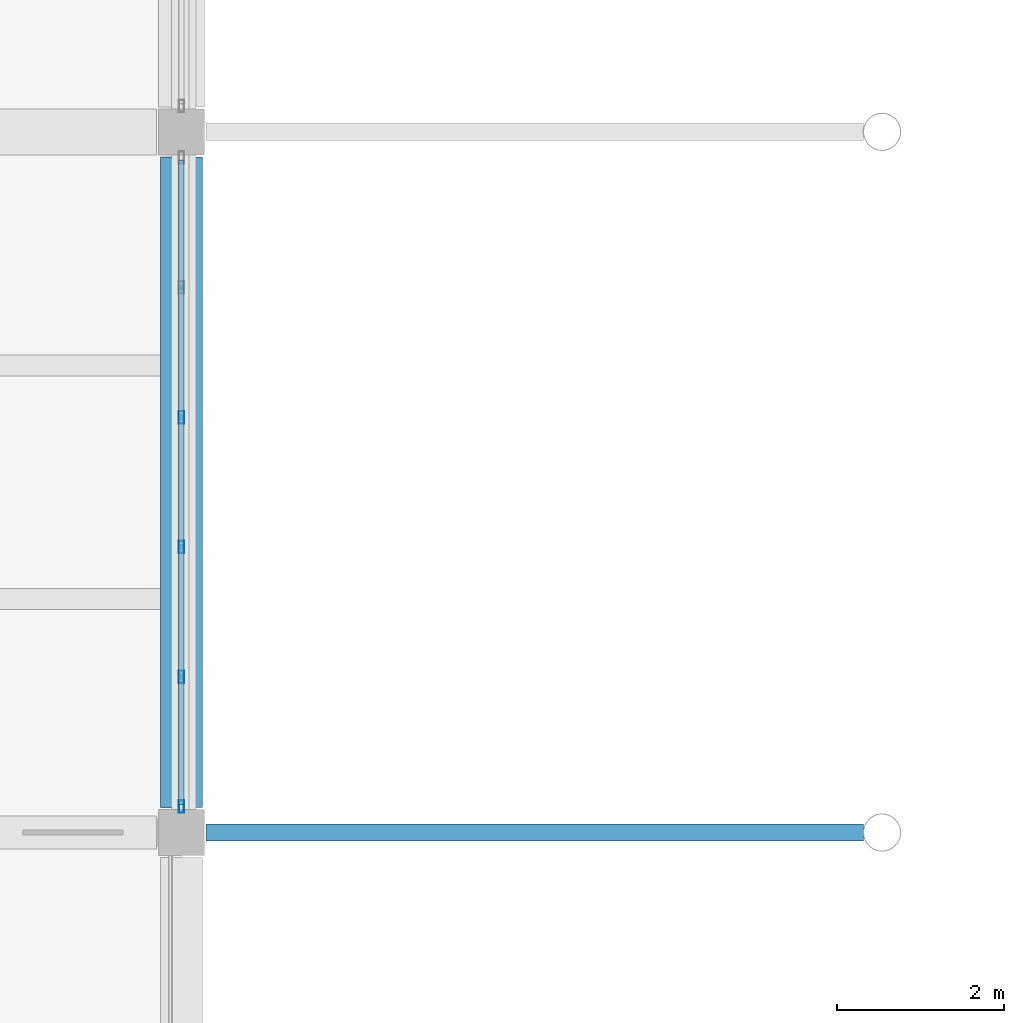
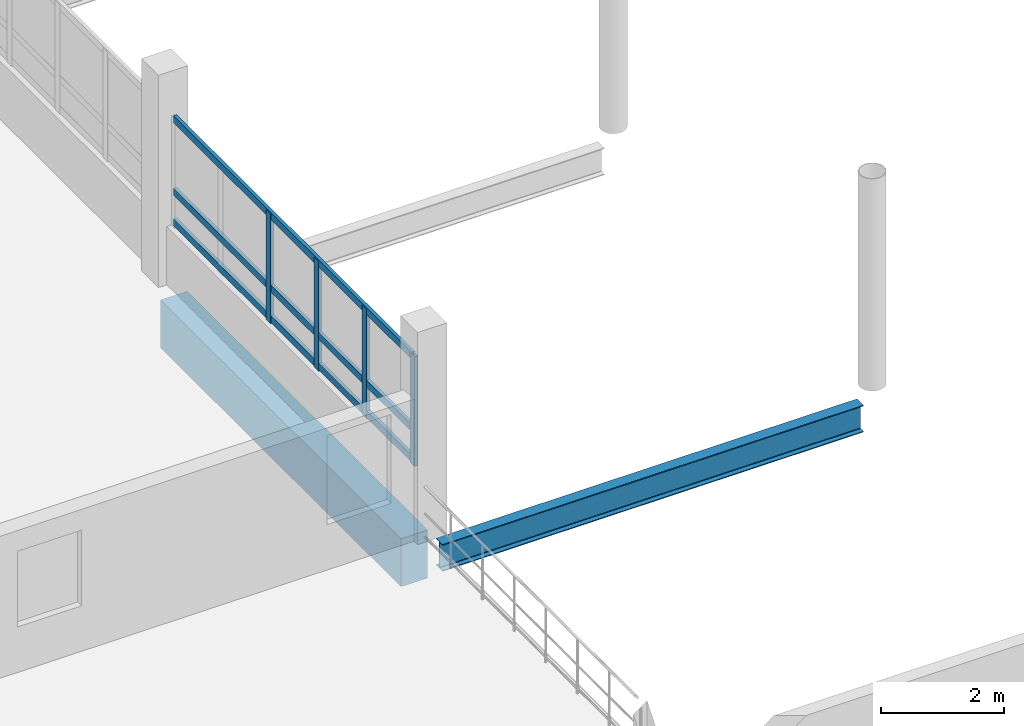
# One storey, part 25 of 130: 7 members, 2 beams, 1 element without a shape of its own.
"""IFC4 building model written with IfcOpenShell, lengths in metres."""

from ifc_helpers import new_model, si_unit, direction, frame, origin, origin_2d, place, context, subcontext, project, spatial, rectangle, hollow_rectangle, i_section, extrude, material, layer, layer_set, material_profile, profile_set, type_object, element, aggregate, save


model = new_model("IFC4")

# Units and contexts
model_context = context("Model", 3, precision=1e-05, world=origin(), true_north=direction((0.0, 1.0)))
body_context = subcontext(model_context, "Body", "Model", "MODEL_VIEW")
ifc_project = project(units=[si_unit("LENGTHUNIT", "METRE"), si_unit("AREAUNIT", "SQUARE_METRE"), si_unit("VOLUMEUNIT", "CUBIC_METRE"), si_unit("PLANEANGLEUNIT", "RADIAN"), si_unit("MASSUNIT", "GRAM", prefix="KILO")], contexts=[model_context])

# Site, building, storey
site_placement = place(None, origin())
site = spatial("IfcSite", under=ifc_project, at=site_placement, CompositionType="ELEMENT")
building_placement = place(site_placement, origin())
building = spatial("IfcBuilding", under=site, at=building_placement, Name="Vireocrest Preparatory School", CompositionType="ELEMENT")
storey_placement = place(building_placement, frame((0.0, 0.0, 9.0)))
storey = spatial("IfcBuildingStorey", under=building, at=storey_placement, Name="L02", CompositionType="ELEMENT", Elevation=9.0)

# Curtain wall, members
ifc_material_1 = material(Name="Thermally broken aluminium EN AW-6063-T6", Category="aluminium")
ifc_layer = layer(ifc_material_1, 0.179931640625)
ifc_layer_set = layer_set([ifc_layer], Name="Thermally broken aluminium EN AW-6063-T6")
curtain_wall_type = type_object("IfcCurtainWallType", Name="Court Banded Curtain Wall 8400x3000", PredefinedType="USERDEFINED", material=ifc_layer_set)
curtain_wall_placement = place(storey_placement, origin())
curtain_wall = element("IfcCurtainWall", 1, at=curtain_wall_placement, inside=storey, type_object=curtain_wall_type, Name="Curtain Wall CW02 CW_L02_CW02_0672_0356_102", ObjectType="CURTAIN WALL", PredefinedType="USERDEFINED")
ifc_material_profile_1 = material_profile(ifc_material_1, hollow_rectangle(XDim=0.06494140625, YDim=0.14990234375, WallThickness=0.00390625, at=origin_2d()), Name="ALU 65x150x4")
ifc_profile_set_1 = profile_set([ifc_material_profile_1], Name="Thermally broken aluminium EN AW-6063-T6")
member_type_1 = type_object("IfcMemberType", Name="CW Mullion 65x150x4", PredefinedType="MULLION", material=ifc_profile_set_1)
member_1_placement = place(storey_placement, frame((67.199951171875, 35.7099609375, 1.14990234375), z_axis=(0.0, 0.0, 1.0), x_axis=(1.0, 0.0, 0.0)))
member_1 = element("IfcMember", 2, at=member_1_placement, type_object=member_type_1, Name="CW Mullion ML1 CW_L02_CW02_0672_0356_102-1", PredefinedType="MULLION", context=body_context, shape_type="SweptSolid", body=[
    extrude(hollow_rectangle(XDim=0.06494140625, YDim=0.14990234375, WallThickness=0.00390625, at=origin_2d()), origin(), (0.0, 0.0, 1.0), 2.175048828125),
])
member_2_placement = place(storey_placement, frame((67.199951171875, 37.26611328125, 1.14990234375), z_axis=(0.0, 0.0, 1.0), x_axis=(1.0, 0.0, 0.0)))
member_2 = element("IfcMember", 3, at=member_2_placement, type_object=member_type_1, Name="CW Mullion ML1 CW_L02_CW02_0672_0356_102-2", PredefinedType="MULLION", context=body_context, shape_type="SweptSolid", body=[
    extrude(hollow_rectangle(XDim=0.06494140625, YDim=0.14990234375, WallThickness=0.00390625, at=origin_2d()), origin(), (0.0, 0.0, 1.0), 2.175048828125),
])
member_3_placement = place(storey_placement, frame((67.199951171875, 38.822021484375, 1.14990234375), z_axis=(0.0, 0.0, 1.0), x_axis=(1.0, 0.0, 0.0)))
member_3 = element("IfcMember", 4, at=member_3_placement, type_object=member_type_1, Name="CW Mullion ML1 CW_L02_CW02_0672_0356_102-3", PredefinedType="MULLION", context=body_context, shape_type="SweptSolid", body=[
    extrude(hollow_rectangle(XDim=0.06494140625, YDim=0.14990234375, WallThickness=0.00390625, at=origin_2d()), origin(), (0.0, 0.0, 1.0), 2.175048828125),
])
member_4_placement = place(storey_placement, frame((67.199951171875, 40.3779296875, 1.14990234375), z_axis=(0.0, 0.0, 1.0), x_axis=(1.0, 0.0, 0.0)))
member_4 = element("IfcMember", 5, at=member_4_placement, type_object=member_type_1, Name="CW Mullion ML1 CW_L02_CW02_0672_0356_102-4", PredefinedType="MULLION", context=body_context, shape_type="SweptSolid", body=[
    extrude(hollow_rectangle(XDim=0.06494140625, YDim=0.14990234375, WallThickness=0.00390625, at=origin_2d()), origin(), (0.0, 0.0, 1.0), 2.175048828125),
])
ifc_material_profile_2 = material_profile(ifc_material_1, hollow_rectangle(XDim=0.06494140625, YDim=0.139892578125, WallThickness=0.00390625, at=origin_2d()), Name="ALU 65x140x4")
ifc_profile_set_2 = profile_set([ifc_material_profile_2], Name="Thermally broken aluminium EN AW-6063-T6")
member_type_2 = type_object("IfcMemberType", Name="CW Transom 65x140x4", PredefinedType="USERDEFINED", material=ifc_profile_set_2)
member_5_placement = place(storey_placement, frame((67.199951171875, 35.735107421875, 1.2451171875), z_axis=(0.0, 1.0, 0.0), x_axis=(-1.0, 0.0, 0.0)))
member_5 = element("IfcMember", 6, at=member_5_placement, type_object=member_type_2, Name="CW Transom TR1 CW_L02_CW02_0672_0356_102-1", ObjectType="TRANSOM", PredefinedType="USERDEFINED", context=body_context, shape_type="SweptSolid", body=[
    extrude(hollow_rectangle(XDim=0.06494140625, YDim=0.139892578125, WallThickness=0.00390625, at=origin_2d()), origin(), (0.0, 0.0, 1.0), 7.72998046875),
])
member_6_placement = place(storey_placement, frame((67.199951171875, 35.735107421875, 1.85009765625), z_axis=(0.0, 1.0, 0.0), x_axis=(-1.0, 0.0, 0.0)))
member_6 = element("IfcMember", 7, at=member_6_placement, type_object=member_type_2, Name="CW Transom TR1 CW_L02_CW02_0672_0356_102-2", ObjectType="TRANSOM", PredefinedType="USERDEFINED", context=body_context, shape_type="SweptSolid", body=[
    extrude(hollow_rectangle(XDim=0.06494140625, YDim=0.139892578125, WallThickness=0.00390625, at=origin_2d()), origin(), (0.0, 0.0, 1.0), 7.72998046875),
])
member_7_placement = place(storey_placement, frame((67.199951171875, 35.735107421875, 3.284912109375), z_axis=(0.0, 1.0, 0.0), x_axis=(-1.0, 0.0, 0.0)))
member_7 = element("IfcMember", 8, at=member_7_placement, type_object=member_type_2, Name="CW Transom TR1 CW_L02_CW02_0672_0356_102-3", ObjectType="TRANSOM", PredefinedType="USERDEFINED", context=body_context, shape_type="SweptSolid", body=[
    extrude(hollow_rectangle(XDim=0.06494140625, YDim=0.139892578125, WallThickness=0.00390625, at=origin_2d()), origin(), (0.0, 0.0, 1.0), 7.72998046875),
])
aggregate(curtain_wall, [member_1, member_2, member_3, member_4, member_5, member_6, member_7])

# Beams
ifc_material_2 = material(Name="Structural steel ASTM A992 Grade 50", Category="steel")
ifc_material_profile_3 = material_profile(ifc_material_2, i_section(OverallWidth=0.208984375, OverallDepth=0.532958984375, WebThickness=0.01025390625, FlangeThickness=0.015625, FilletRadius=0.014892578125, at=origin_2d()), Name="W21X62")
ifc_profile_set_3 = profile_set([ifc_material_profile_3], Name="Structural steel ASTM A992 Grade 50")
beam_type_1 = type_object("IfcBeamType", Name="Court Tie Girder W21X62", PredefinedType="BEAM", material=ifc_profile_set_3)
beam_1_placement = place(storey_placement, frame((67.4951171875, 35.39990234375, -0.56640625), z_axis=(1.0, 0.0, 0.0), x_axis=(0.0, 1.0, 0.0)))
element("IfcBeam", 9, at=beam_1_placement, inside=storey, type_object=beam_type_1, Name="Court Trunk Lateral Tie Girder SB5 W2 L02", PredefinedType="BEAM", context=body_context, shape_type="SweptSolid", body=[
    extrude(i_section(OverallWidth=0.208984375, OverallDepth=0.532958984375, WebThickness=0.01025390625, FlangeThickness=0.015625, FilletRadius=0.014892578125, at=origin_2d()), origin(), (0.0, 0.0, 1.0), 7.88134765625),
])
ifc_material_3 = material(Name="Concrete 40 MPa", Category="concrete")
ifc_material_profile_4 = material_profile(ifc_material_3, rectangle(XDim=0.5, YDim=0.949951171875, at=origin_2d()), Name="RC 500x950")
ifc_profile_set_4 = profile_set([ifc_material_profile_4], Name="Concrete 40 MPa")
beam_type_2 = type_object("IfcBeamType", Name="RC Basement Ceiling Girder 500x950", PredefinedType="BEAM", material=ifc_profile_set_4)
beam_2_placement = place(storey_placement, frame((67.199951171875, 35.699951171875, -0.715087890625), z_axis=(0.0, 1.0, 0.0), x_axis=(-1.0, 0.0, 0.0)))
element("IfcBeam", 10, at=beam_2_placement, inside=storey, type_object=beam_type_2, Name="Primary Girder B16 L02-0819", PredefinedType="BEAM", context=body_context, shape_type="SweptSolid", body=[
    extrude(rectangle(XDim=0.5, YDim=0.949951171875, at=origin_2d()), origin(), (0.0, 0.0, 1.0), 7.800048828125),
])

save(model, "model.ifc")
